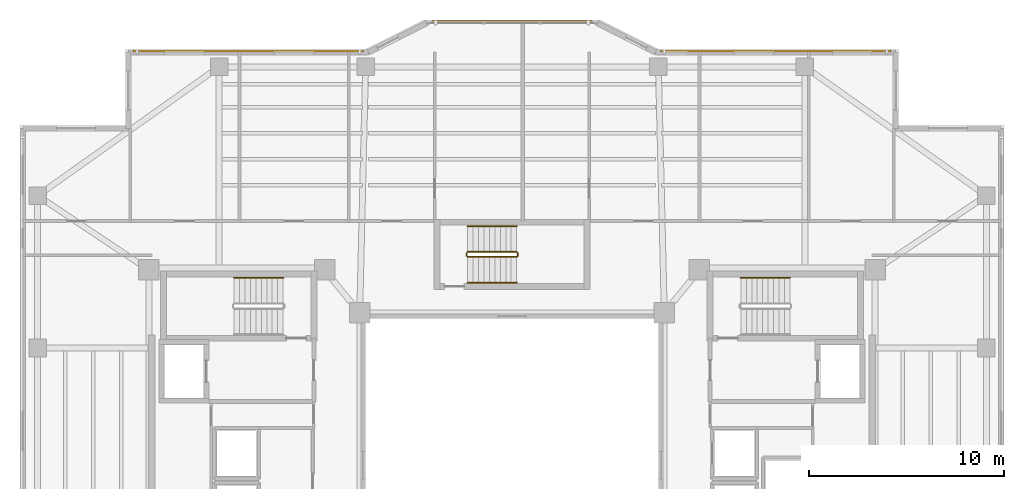
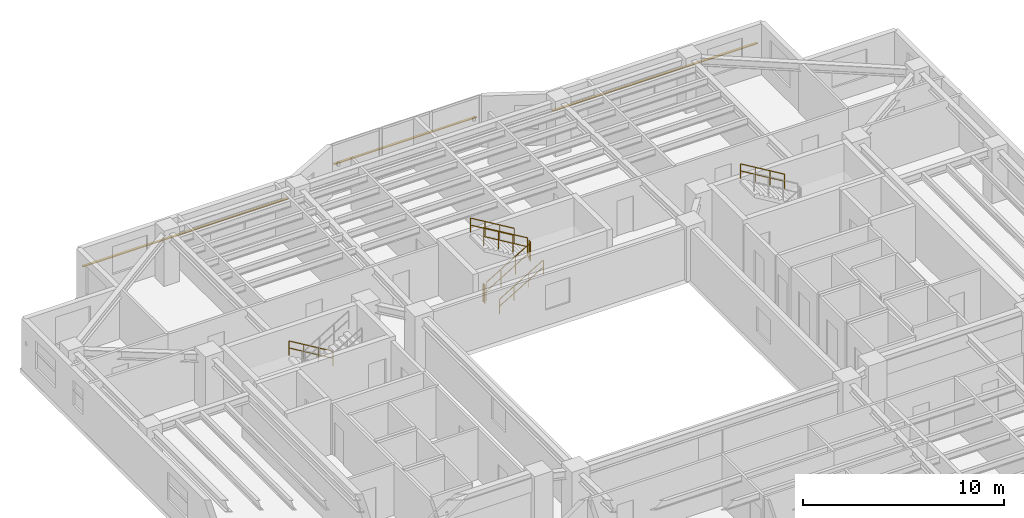
# One storey, part 15 of 15: 8 railings, 3 shading devices.
"""IFC4 building model written with IfcOpenShell, lengths in metres."""

from ifc_helpers import new_model, si_unit, direction, frame, origin, origin_2d, place, context, subcontext, project, spatial, rectangle, circle, extrude, material, material_profile, profile_set, type_object, element, save


model = new_model("IFC4")

# Units and contexts
model_context = context("Model", 3, precision=1e-05, world=origin(), true_north=direction((0.0, 1.0)))
body_context = subcontext(model_context, "Body", "Model", "MODEL_VIEW")
ifc_project = project(units=[si_unit("LENGTHUNIT", "METRE"), si_unit("AREAUNIT", "SQUARE_METRE"), si_unit("VOLUMEUNIT", "CUBIC_METRE"), si_unit("PLANEANGLEUNIT", "RADIAN"), si_unit("MASSUNIT", "GRAM", prefix="KILO")], contexts=[model_context])

# Site, building, storey
site_placement = place(None, origin())
site = spatial("IfcSite", under=ifc_project, at=site_placement, CompositionType="ELEMENT")
building_placement = place(site_placement, origin())
building = spatial("IfcBuilding", under=site, at=building_placement, Name="Tarnavaz Court Tower", CompositionType="ELEMENT")
storey_placement = place(building_placement, frame((0.0, 0.0, 139.300048828125)))
storey = spatial("IfcBuildingStorey", under=building, at=storey_placement, Name="L37", CompositionType="ELEMENT", Elevation=139.300048828125)

# Railings
ifc_material_1 = material(Name="Brushed Stainless Steel", Category="steel")
railing_type_1 = type_object("IfcRailingType", Name="RL-HANDRAIL-900", PredefinedType="HANDRAIL", material=ifc_material_1)
railing_1_placement = place(storey_placement, frame((-11.719970703125, 9.590087890625, 0.16748046875)))
element("IfcRailing", 1, at=railing_1_placement, inside=storey, type_object=railing_type_1, Name="L37 ST-W1 stair handrail 1", PredefinedType="HANDRAIL", context=body_context, shape_type="SweptSolid", body=[
    extrude(circle(Radius=0.02392578125, at=origin_2d()), frame((0.0, 0.0, 0.8759765625), z_axis=(-0.858159760407, 0.0, 0.513382728203), x_axis=(0.0, -1.0, 0.0)), (0.0, 0.0, 1.0), 2.9365234375),
    extrude(circle(Radius=0.02392578125, at=origin_2d()), frame((0.0, 0.0, 0.449951171875), z_axis=(-0.858159760407, 0.0, 0.513382728203), x_axis=(0.0, -1.0, 0.0)), (0.0, 0.0, 1.0), 2.9365234375),
    extrude(circle(Radius=0.02099609375, at=origin_2d()), origin(), (0.0, 0.0, 1.0), 0.851806640625),
    extrude(circle(Radius=0.02099609375, at=origin_2d()), frame((-0.840087890625, 0.0, 0.50244140625)), (0.0, 0.0, 1.0), 0.851806640625),
    extrude(circle(Radius=0.02099609375, at=origin_2d()), frame((-1.679931640625, 0.0, 1.005126953125)), (0.0, 0.0, 1.0), 0.851806640625),
    extrude(circle(Radius=0.02099609375, at=origin_2d()), frame((-2.52001953125, 0.0, 1.507568359375)), (0.0, 0.0, 1.0), 0.851806640625),
])
railing_2_placement = place(storey_placement, frame((14.239990234375, 9.590087890625, 1.842529296875)))
element("IfcRailing", 2, at=railing_2_placement, inside=storey, type_object=railing_type_1, Name="L37 ST-E1 stair handrail 2", PredefinedType="HANDRAIL", context=body_context, shape_type="SweptSolid", body=[
    extrude(circle(Radius=0.02392578125, at=origin_2d()), frame((0.0, 0.0, 0.8759765625), z_axis=(-0.858196387827, 0.0, 0.513321497621), x_axis=(0.0, -1.0, 0.0)), (0.0, 0.0, 1.0), 2.9365234375),
    extrude(circle(Radius=0.02392578125, at=origin_2d()), frame((0.0, 0.0, 0.449951171875), z_axis=(-0.858196387827, 0.0, 0.513321497621), x_axis=(0.0, -1.0, 0.0)), (0.0, 0.0, 1.0), 2.9365234375),
    extrude(circle(Radius=0.02099609375, at=origin_2d()), origin(), (0.0, 0.0, 1.0), 0.851806640625),
    extrude(circle(Radius=0.02099609375, at=origin_2d()), frame((-0.840087890625, 0.0, 0.50244140625)), (0.0, 0.0, 1.0), 0.851806640625),
    extrude(circle(Radius=0.02099609375, at=origin_2d()), frame((-1.679931640625, 0.0, 1.0048828125)), (0.0, 0.0, 1.0), 0.851806640625),
    extrude(circle(Radius=0.02099609375, at=origin_2d()), frame((-2.52001953125, 0.0, 1.50732421875)), (0.0, 0.0, 1.0), 0.851806640625),
])
railing_3_placement = place(storey_placement, frame((-2.280029296875, 9.35009765625, 0.16748046875)))
element("IfcRailing", 3, at=railing_3_placement, inside=storey, type_object=railing_type_1, Name="L37 ST-N1 stair handrail 1", PredefinedType="HANDRAIL", context=body_context, shape_type="SweptSolid", body=[
    extrude(circle(Radius=0.02392578125, at=origin_2d()), frame((0.0, 0.0, 0.8759765625), z_axis=(0.858159760407, 0.0, 0.513382728203), x_axis=(0.0, 1.0, 0.0)), (0.0, 0.0, 1.0), 2.9365234375),
    extrude(circle(Radius=0.02392578125, at=origin_2d()), frame((0.0, 0.0, 0.449951171875), z_axis=(0.858159760407, 0.0, 0.513382728203), x_axis=(0.0, 1.0, 0.0)), (0.0, 0.0, 1.0), 2.9365234375),
    extrude(circle(Radius=0.02099609375, at=origin_2d()), origin(), (0.0, 0.0, 1.0), 0.851806640625),
    extrude(circle(Radius=0.02099609375, at=origin_2d()), frame((0.840087890625, 0.0, 0.50244140625)), (0.0, 0.0, 1.0), 0.851806640625),
    extrude(circle(Radius=0.02099609375, at=origin_2d()), frame((1.679931640625, 0.0, 1.005126953125)), (0.0, 0.0, 1.0), 0.851806640625),
    extrude(circle(Radius=0.02099609375, at=origin_2d()), frame((2.52001953125, 0.0, 1.507568359375)), (0.0, 0.0, 1.0), 0.851806640625),
])
railing_4_placement = place(storey_placement, frame((0.239990234375, 12.239990234375, 1.842529296875)))
element("IfcRailing", 4, at=railing_4_placement, inside=storey, type_object=railing_type_1, Name="L37 ST-N1 stair handrail 2", PredefinedType="HANDRAIL", context=body_context, shape_type="SweptSolid", body=[
    extrude(circle(Radius=0.02392578125, at=origin_2d()), frame((0.0, 0.0, 0.8759765625), z_axis=(-0.858196387827, 0.0, 0.513321497621), x_axis=(0.0, -1.0, 0.0)), (0.0, 0.0, 1.0), 2.9365234375),
    extrude(circle(Radius=0.02392578125, at=origin_2d()), frame((0.0, 0.0, 0.449951171875), z_axis=(-0.858196387827, 0.0, 0.513321497621), x_axis=(0.0, -1.0, 0.0)), (0.0, 0.0, 1.0), 2.9365234375),
    extrude(circle(Radius=0.02099609375, at=origin_2d()), origin(), (0.0, 0.0, 1.0), 0.851806640625),
    extrude(circle(Radius=0.02099609375, at=origin_2d()), frame((-0.840087890625, 0.0, 0.50244140625)), (0.0, 0.0, 1.0), 0.851806640625),
    extrude(circle(Radius=0.02099609375, at=origin_2d()), frame((-1.679931640625, 0.0, 1.0048828125)), (0.0, 0.0, 1.0), 0.851806640625),
    extrude(circle(Radius=0.02099609375, at=origin_2d()), frame((-2.52001953125, 0.0, 1.50732421875)), (0.0, 0.0, 1.0), 0.851806640625),
])
ifc_material_2 = material(Name="Galvanized Painted Tubular Steel", Category="steel")
railing_type_2 = type_object("IfcRailingType", Name="RL-STGUARD-1120", PredefinedType="GUARDRAIL", material=ifc_material_2)
railing_5_placement = place(storey_placement, frame((-2.280029296875, 10.669921875, 0.16748046875)))
element("IfcRailing", 5, at=railing_5_placement, inside=storey, type_object=railing_type_2, Name="L37 ST-N1 stair guard 1", PredefinedType="GUARDRAIL", context=body_context, shape_type="SweptSolid", body=[
    extrude(circle(Radius=0.02392578125, at=origin_2d()), frame((0.0, 0.0, 1.09619140625), z_axis=(0.858159760407, 0.0, 0.513382728203), x_axis=(0.0, 1.0, 0.0)), (0.0, 0.0, 1.0), 2.9365234375),
    extrude(circle(Radius=0.02392578125, at=origin_2d()), frame((0.0, 0.0, 0.56005859375), z_axis=(0.858159760407, 0.0, 0.513382728203), x_axis=(0.0, 1.0, 0.0)), (0.0, 0.0, 1.0), 2.9365234375),
    extrude(circle(Radius=0.02099609375, at=origin_2d()), origin(), (0.0, 0.0, 1.0), 1.072021484375),
    extrude(circle(Radius=0.02099609375, at=origin_2d()), frame((0.840087890625, 0.0, 0.50244140625)), (0.0, 0.0, 1.0), 1.072021484375),
    extrude(circle(Radius=0.02099609375, at=origin_2d()), frame((1.679931640625, 0.0, 1.005126953125)), (0.0, 0.0, 1.0), 1.072021484375),
    extrude(circle(Radius=0.02099609375, at=origin_2d()), frame((2.52001953125, 0.0, 1.507568359375)), (0.0, 0.0, 1.0), 1.072021484375),
])
railing_6_placement = place(storey_placement, frame((0.2900390625, 10.719970703125, 1.675048828125)))
element("IfcRailing", 6, at=railing_6_placement, inside=storey, type_object=railing_type_2, Name="L37 ST-N1 stair guard 2", PredefinedType="GUARDRAIL", context=body_context, shape_type="SweptSolid", body=[
    extrude(circle(Radius=0.02392578125, at=origin_2d()), frame((0.0, 0.0, 1.09619140625), z_axis=(0.0, 1.0, 0.0), x_axis=(-1.0, 0.0, 0.0)), (0.0, 0.0, 1.0), 0.150146484375),
    extrude(circle(Radius=0.02392578125, at=origin_2d()), frame((0.0, 0.0, 0.56005859375), z_axis=(0.0, 1.0, 0.0), x_axis=(-1.0, 0.0, 0.0)), (0.0, 0.0, 1.0), 0.150146484375),
    extrude(circle(Radius=0.02099609375, at=origin_2d()), origin(), (0.0, 0.0, 1.0), 1.072021484375),
    extrude(circle(Radius=0.02099609375, at=origin_2d()), frame((0.0, 0.150146484375, 0.0)), (0.0, 0.0, 1.0), 1.072021484375),
])
railing_7_placement = place(storey_placement, frame((0.239990234375, 10.919921875, 1.842529296875)))
element("IfcRailing", 7, at=railing_7_placement, inside=storey, type_object=railing_type_2, Name="L37 ST-N1 stair guard 3", PredefinedType="GUARDRAIL", context=body_context, shape_type="SweptSolid", body=[
    extrude(circle(Radius=0.02392578125, at=origin_2d()), frame((0.0, 0.0, 1.09619140625), z_axis=(-0.858196387827, 0.0, 0.513321497621), x_axis=(0.0, -1.0, 0.0)), (0.0, 0.0, 1.0), 2.9365234375),
    extrude(circle(Radius=0.02392578125, at=origin_2d()), frame((0.0, 0.0, 0.56005859375), z_axis=(-0.858196387827, 0.0, 0.513321497621), x_axis=(0.0, -1.0, 0.0)), (0.0, 0.0, 1.0), 2.9365234375),
    extrude(circle(Radius=0.02099609375, at=origin_2d()), origin(), (0.0, 0.0, 1.0), 1.072021484375),
    extrude(circle(Radius=0.02099609375, at=origin_2d()), frame((-0.840087890625, 0.0, 0.50244140625)), (0.0, 0.0, 1.0), 1.072021484375),
    extrude(circle(Radius=0.02099609375, at=origin_2d()), frame((-1.679931640625, 0.0, 1.0048828125)), (0.0, 0.0, 1.0), 1.072021484375),
    extrude(circle(Radius=0.02099609375, at=origin_2d()), frame((-2.52001953125, 0.0, 1.50732421875)), (0.0, 0.0, 1.0), 1.072021484375),
])
railing_8_placement = place(storey_placement, frame((-2.330078125, 10.719970703125, 0.0)))
element("IfcRailing", 8, at=railing_8_placement, inside=storey, type_object=railing_type_2, Name="L37 ST-N1 stair guard 4", PredefinedType="GUARDRAIL", context=body_context, shape_type="SweptSolid", body=[
    extrude(circle(Radius=0.02392578125, at=origin_2d()), frame((0.0, 0.0, 1.09619140625), z_axis=(0.0, 1.0, 0.0), x_axis=(-1.0, 0.0, 0.0)), (0.0, 0.0, 1.0), 0.150146484375),
    extrude(circle(Radius=0.02392578125, at=origin_2d()), frame((0.0, 0.0, 0.56005859375), z_axis=(0.0, 1.0, 0.0), x_axis=(-1.0, 0.0, 0.0)), (0.0, 0.0, 1.0), 0.150146484375),
    extrude(circle(Radius=0.02099609375, at=origin_2d()), origin(), (0.0, 0.0, 1.0), 1.072021484375),
    extrude(circle(Radius=0.02099609375, at=origin_2d()), frame((0.0, 0.150146484375, 0.0)), (0.0, 0.0, 1.0), 1.072021484375),
])

# Shading devices
ifc_material_3 = material(Name="Kiln-Fired Khorasan Terracotta Ceramic", Category="masonry")
ifc_material_profile = material_profile(ifc_material_3, rectangle(XDim=0.1201171875, YDim=0.06005859375, at=origin_2d()), Name="TC BAGUETTE 120X60")
ifc_profile_set = profile_set([ifc_material_profile], Name="Kiln-Fired Khorasan Terracotta Ceramic")
shading_device_type = type_object("IfcShadingDeviceType", Name="SD-BAG-120", PredefinedType="USERDEFINED", material=ifc_profile_set)
shading_device_1_placement = place(storey_placement, frame((-19.39990234375, 21.2099609375, 1.849853515625), z_axis=(1.0, 0.0, 0.0), x_axis=(0.0, 1.0, 0.0)))
element("IfcShadingDevice", 9, at=shading_device_1_placement, inside=storey, type_object=shading_device_type, Name="L37 Terracotta Baguette Screen FBG05", ObjectType="BAGUETTE", PredefinedType="USERDEFINED", context=body_context, shape_type="SweptSolid", body=[
    extrude(rectangle(XDim=0.1201171875, YDim=0.06005859375, at=origin_2d()), origin(), (0.0, 0.0, 1.0), 11.7998046875),
])
shading_device_2_placement = place(storey_placement, frame((-4.10009765625, 22.7099609375, 1.800048828125), z_axis=(1.0, 0.0, 0.0), x_axis=(0.0, 1.0, 0.0)))
element("IfcShadingDevice", 10, at=shading_device_2_placement, inside=storey, type_object=shading_device_type, Name="L37 Terracotta Baguette Screen PBG7", ObjectType="BAGUETTE", PredefinedType="USERDEFINED", context=body_context, shape_type="SweptSolid", body=[
    extrude(rectangle(XDim=0.1201171875, YDim=0.06005859375, at=origin_2d()), origin(), (0.0, 0.0, 1.0), 8.2001953125),
])
shading_device_3_placement = place(storey_placement, frame((7.60009765625, 21.2099609375, 1.849853515625), z_axis=(1.0, 0.0, 0.0), x_axis=(0.0, 1.0, 0.0)))
element("IfcShadingDevice", 11, at=shading_device_3_placement, inside=storey, type_object=shading_device_type, Name="L37 Terracotta Baguette Screen FBG09", ObjectType="BAGUETTE", PredefinedType="USERDEFINED", context=body_context, shape_type="SweptSolid", body=[
    extrude(rectangle(XDim=0.1201171875, YDim=0.06005859375, at=origin_2d()), origin(), (0.0, 0.0, 1.0), 11.7998046875),
])

save(model, "model.ifc")
